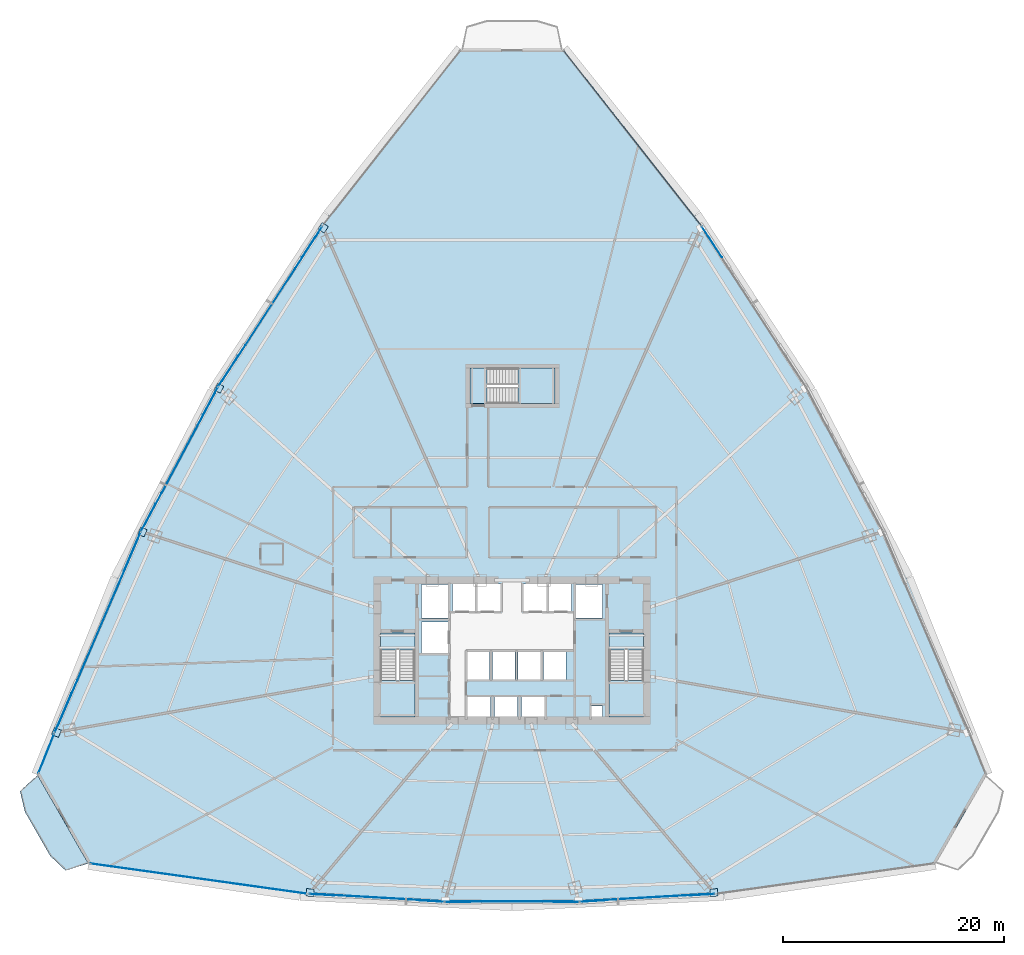
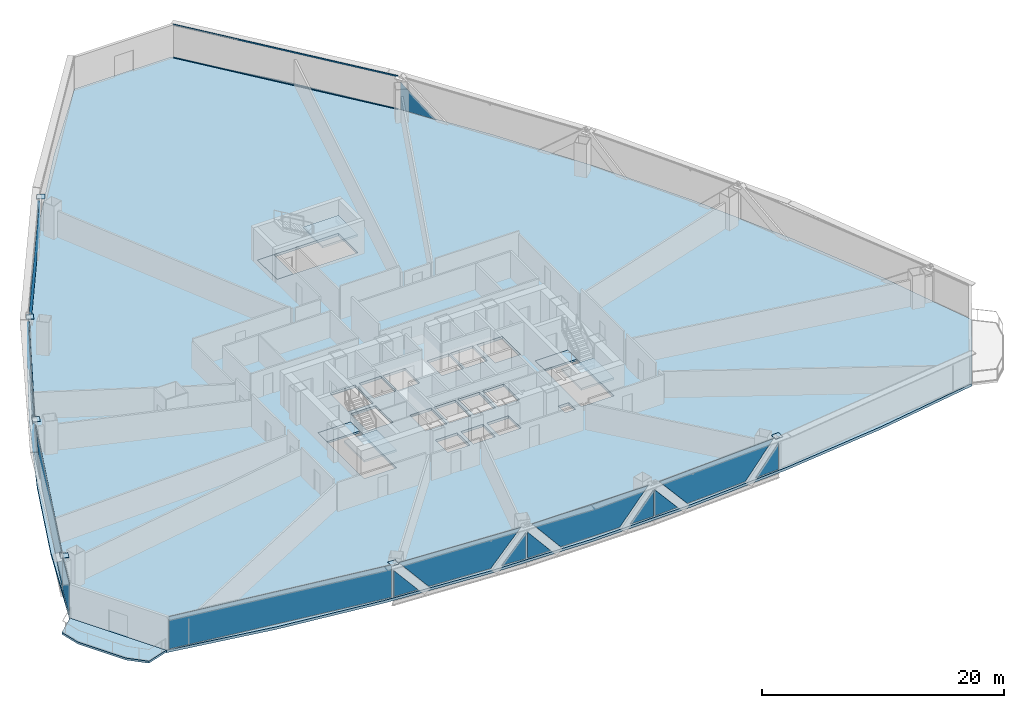
# One storey, part 27 of 37: 27 plates, 8 slabs, 2 members, 13 elements without a shape of their own.
"""IFC4 building model written with IfcOpenShell, lengths in metres."""

from ifc_helpers import new_model, si_unit, direction, frame, origin, origin_2d, place, context, subcontext, project, spatial, polyline, rectangle, hollow_rectangle, outline, extrude, source, transform, mapped, material, layer, layer_set, material_profile, profile_set, type_object, element, aggregate, save


model = new_model("IFC4")

# Units and contexts
model_context = context("Model", 3, precision=1e-05, world=origin(), true_north=direction((0.0, 1.0)))
body_context = subcontext(model_context, "Body", "Model", "MODEL_VIEW")
ifc_project = project(units=[si_unit("LENGTHUNIT", "METRE"), si_unit("AREAUNIT", "SQUARE_METRE"), si_unit("VOLUMEUNIT", "CUBIC_METRE"), si_unit("PLANEANGLEUNIT", "RADIAN"), si_unit("MASSUNIT", "GRAM", prefix="KILO"), si_unit("THERMODYNAMICTEMPERATUREUNIT", "KELVIN"), si_unit("POWERUNIT", "WATT")], contexts=[model_context])

# Site, building, storey
site_placement = place(None, origin())
site = spatial("IfcSite", under=ifc_project, at=site_placement, CompositionType="ELEMENT")
building_placement = place(site_placement, origin())
building = spatial("IfcBuilding", under=site, at=building_placement, Name="Yunzhuo Pagoda Commons", CompositionType="ELEMENT")
storey_placement = place(building_placement, frame((0.0, 0.0, 59.43994140625)))
storey = spatial("IfcBuildingStorey", under=building, at=storey_placement, Name="L15", CompositionType="ELEMENT", Elevation=59.43994140625)

# Curtain wall, members
ifc_material_1 = material(Name="Anodized aluminium 6063-T6", Category="aluminium")
ifc_layer_1 = layer(ifc_material_1, 0.1650390625)
ifc_layer_set_1 = layer_set([ifc_layer_1], Name="Anodized aluminium 6063-T6")
curtain_wall_type = type_object("IfcCurtainWallType", Name="CW-LOW Low-Zone Ribbon Curtain Wall", PredefinedType="NOTDEFINED", material=ifc_layer_set_1)
curtain_wall_1_placement = place(storey_placement, origin())
curtain_wall_1 = element("IfcCurtainWall", 1, at=curtain_wall_1_placement, inside=storey, type_object=curtain_wall_type, Name="L15 curtain wall CW-L15-F2B5", PredefinedType="NOTDEFINED")
ifc_material_profile = material_profile(ifc_material_1, hollow_rectangle(XDim=0.06005859375, YDim=0.139892578125, WallThickness=0.00341796875, at=origin_2d()), Name="Anodized aluminium 6063-T6")
ifc_profile_set = profile_set([ifc_material_profile], Name="Anodized aluminium 6063-T6")
member_type = type_object("IfcMemberType", Name="CW-LOW-T Transom RHS 140x60x3.5", PredefinedType="USERDEFINED", material=ifc_profile_set)
shared_shape_1 = source(origin(), body_context, "Body", "SweptSolid", [
    extrude(hollow_rectangle(XDim=0.06005859375, YDim=0.139892578125, WallThickness=0.00341796875, at=origin_2d()), origin(), (0.0, 0.0, 1.0), 20.00244140625),
])
member_1_placement = place(storey_placement, frame((65.085205078125, 72.378173828125, 0.030029296875), z_axis=(-0.618272093207, 0.785964133254, 0.0), x_axis=(-0.785964133254, -0.618272093207, 0.0)))
member_1 = element("IfcMember", 2, at=member_1_placement, type_object=member_type, Name="CW transom 1.1", ObjectType="TRANSOM", PredefinedType="USERDEFINED", context=body_context, shape_type="MappedRepresentation", body=[
    mapped(shared_shape_1, transform((0.0, 0.0, 0.0), scale=1.0)),
])
member_2_placement = place(storey_placement, frame((65.085205078125, 72.378173828125, 3.340087890625), z_axis=(-0.618272093207, 0.785964133254, 0.0), x_axis=(-0.785964133254, -0.618272093207, 0.0)))
member_2 = element("IfcMember", 3, at=member_2_placement, type_object=member_type, Name="CW transom 1.2", ObjectType="TRANSOM", PredefinedType="USERDEFINED", context=body_context, shape_type="MappedRepresentation", body=[
    mapped(shared_shape_1, transform((0.0, 0.0, 0.0), scale=1.0)),
])
aggregate(curtain_wall_1, [member_1, member_2])

# Curtain wall, plates
curtain_wall_2_placement = place(storey_placement, origin())
curtain_wall_2 = element("IfcCurtainWall", 4, at=curtain_wall_2_placement, inside=storey, type_object=curtain_wall_type, Name="L15 curtain wall CW-L15-F1B2", PredefinedType="NOTDEFINED")
ifc_material_2 = material(Name="Tempered low-e double glazing", Category="glass")
ifc_layer_2 = layer(ifc_material_2, 0.028076171875)
ifc_layer_set_2 = layer_set([ifc_layer_2], Name="Tempered low-e double glazing")
plate_type_1 = type_object("IfcPlateType", Name="CW-LOW-P Low-E Double Glazing 28", PredefinedType="CURTAIN_PANEL", material=ifc_layer_set_2)
plate_1_placement = place(storey_placement, frame((30.801513671875, 11.73193359375, 1.383544921875), z_axis=(-0.057664069997, -0.998336043139, 0.0), x_axis=(0.998336043139, -0.057664069997, 0.0)))
plate_1 = element("IfcPlate", 5, at=plate_1_placement, type_object=plate_type_1, Name="CW panel 1.1 lite 1", PredefinedType="CURTAIN_PANEL", context=body_context, shape_type="SweptSolid", body=[
    extrude(outline(polyline([(-1.125244140625, -1.323486328125), (1.125244140625, -1.323486328125), (-1.125244140625, 1.323486328125), (-1.125244140625, -1.323486328125)])), origin(), (0.0, 0.0, 1.0), 0.028076171875),
])
plate_2_placement = place(storey_placement, frame((35.77734375, 11.474365234375, 1.68505859375), z_axis=(-0.057664069997, -0.998336043139, 0.0), x_axis=(0.998336043139, -0.057664069997, 0.0)))
plate_2 = element("IfcPlate", 6, at=plate_2_placement, type_object=plate_type_1, Name="CW panel 1.1 lite 2", PredefinedType="CURTAIN_PANEL", context=body_context, shape_type="SweptSolid", body=[
    extrude(outline(polyline([(-5.623046875, 1.625), (-2.859619140625, -1.625), (2.859619140625, -1.625), (5.623046875, 1.625), (-5.623046875, 1.625)])), origin(), (0.0, 0.0, 1.0), 0.028076171875),
])
plate_3_placement = place(storey_placement, frame((40.75, 11.1572265625, 1.383544921875), z_axis=(-0.057664069997, -0.998336043139, 0.0), x_axis=(0.998336043139, -0.057664069997, 0.0)))
plate_3 = element("IfcPlate", 7, at=plate_3_placement, type_object=plate_type_1, Name="CW panel 1.1 lite 3", PredefinedType="CURTAIN_PANEL", context=body_context, shape_type="SweptSolid", body=[
    extrude(outline(polyline([(-1.125244140625, -1.323486328125), (1.125244140625, -1.323486328125), (1.125244140625, 1.323486328125), (-1.125244140625, -1.323486328125)])), origin(), (0.0, 0.0, 1.0), 0.028076171875),
])
aggregate(curtain_wall_2, [plate_1, plate_2, plate_3])

curtain_wall_3_placement = place(storey_placement, origin())
curtain_wall_3 = element("IfcCurtainWall", 8, at=curtain_wall_3_placement, inside=storey, type_object=curtain_wall_type, Name="L15 curtain wall CW-L15-F1B3", PredefinedType="NOTDEFINED")
plate_4_placement = place(storey_placement, frame((43.1044921875, 11.0888671875, 1.379638671875), z_axis=(0.0, -1.0, 0.0), x_axis=(1.0, 0.0, 0.0)))
plate_4 = element("IfcPlate", 9, at=plate_4_placement, type_object=plate_type_1, Name="CW panel 1.1 lite 1", PredefinedType="CURTAIN_PANEL", context=body_context, shape_type="SweptSolid", body=[
    extrude(outline(polyline([(-1.10205078125, -1.319580078125), (1.10205078125, -1.319580078125), (-1.10205078125, 1.319580078125), (-1.10205078125, -1.319580078125)])), origin(), (0.0, 0.0, 1.0), 0.028076171875),
])
plate_5_placement = place(storey_placement, frame((48.0, 11.11865234375, 1.68505859375), z_axis=(0.0, -1.0, 0.0), x_axis=(1.0, 0.0, 0.0)))
plate_5 = element("IfcPlate", 10, at=plate_5_placement, type_object=plate_type_1, Name="CW panel 1.1 lite 2", PredefinedType="CURTAIN_PANEL", context=body_context, shape_type="SweptSolid", body=[
    extrude(outline(polyline([(-5.517333984375, 1.625), (-2.803466796875, -1.625), (2.803466796875, -1.625), (5.517333984375, 1.625), (-5.517333984375, 1.625)])), origin(), (0.0, 0.0, 1.0), 0.028076171875),
])
plate_6_placement = place(storey_placement, frame((52.8955078125, 11.0888671875, 1.379638671875), z_axis=(0.0, -1.0, 0.0), x_axis=(1.0, 0.0, 0.0)))
plate_6 = element("IfcPlate", 11, at=plate_6_placement, type_object=plate_type_1, Name="CW panel 1.1 lite 3", PredefinedType="CURTAIN_PANEL", context=body_context, shape_type="SweptSolid", body=[
    extrude(outline(polyline([(-1.10205078125, -1.319580078125), (1.10205078125, -1.319580078125), (1.10205078125, 1.319580078125), (-1.10205078125, -1.319580078125)])), origin(), (0.0, 0.0, 1.0), 0.028076171875),
])
aggregate(curtain_wall_3, [plate_4, plate_5, plate_6])

curtain_wall_4_placement = place(storey_placement, origin())
curtain_wall_4 = element("IfcCurtainWall", 12, at=curtain_wall_4_placement, inside=storey, type_object=curtain_wall_type, Name="L15 curtain wall CW-L15-F1B4", PredefinedType="NOTDEFINED")
plate_7_placement = place(storey_placement, frame((55.25, 11.1572265625, 1.383544921875), z_axis=(0.057664069997, -0.998336043139, 0.0), x_axis=(0.998336043139, 0.057664069997, 0.0)))
plate_7 = element("IfcPlate", 13, at=plate_7_placement, type_object=plate_type_1, Name="CW panel 1.1 lite 1", PredefinedType="CURTAIN_PANEL", context=body_context, shape_type="SweptSolid", body=[
    extrude(outline(polyline([(-1.125244140625, -1.323486328125), (1.125244140625, -1.323486328125), (-1.125244140625, 1.323486328125), (-1.125244140625, -1.323486328125)])), origin(), (0.0, 0.0, 1.0), 0.028076171875),
])
plate_8_placement = place(storey_placement, frame((60.22265625, 11.474365234375, 1.68505859375), z_axis=(0.057664069997, -0.998336043139, 0.0), x_axis=(0.998336043139, 0.057664069997, 0.0)))
plate_8 = element("IfcPlate", 14, at=plate_8_placement, type_object=plate_type_1, Name="CW panel 1.1 lite 2", PredefinedType="CURTAIN_PANEL", context=body_context, shape_type="SweptSolid", body=[
    extrude(outline(polyline([(-5.623046875, 1.625), (-2.859619140625, -1.625), (2.859619140625, -1.625), (5.623046875, 1.625), (-5.623046875, 1.625)])), origin(), (0.0, 0.0, 1.0), 0.028076171875),
])
plate_9_placement = place(storey_placement, frame((65.198486328125, 11.73193359375, 1.383544921875), z_axis=(0.057664069997, -0.998336043139, 0.0), x_axis=(0.998336043139, 0.057664069997, 0.0)))
plate_9 = element("IfcPlate", 15, at=plate_9_placement, type_object=plate_type_1, Name="CW panel 1.1 lite 3", PredefinedType="CURTAIN_PANEL", context=body_context, shape_type="SweptSolid", body=[
    extrude(outline(polyline([(-1.125244140625, -1.323486328125), (1.125244140625, -1.323486328125), (1.125244140625, 1.323486328125), (-1.125244140625, -1.323486328125)])), origin(), (0.0, 0.0, 1.0), 0.028076171875),
])
aggregate(curtain_wall_4, [plate_7, plate_8, plate_9])

# Curtain wall, plate
curtain_wall_5_placement = place(storey_placement, origin())
curtain_wall_5 = element("IfcCurtainWall", 16, at=curtain_wall_5_placement, inside=storey, type_object=curtain_wall_type, Name="L15 curtain wall CW-L15-F2B4", PredefinedType="NOTDEFINED")
plate_10_placement = place(storey_placement, frame((66.09521484375, 70.81982421875, 1.4404296875), z_axis=(0.838776712394, 0.544475552018, 0.0), x_axis=(-0.544475552018, 0.838776712394, 0.0)))
plate_10 = element("IfcPlate", 17, at=plate_10_placement, type_object=plate_type_1, Name="CW panel 1.1 lite 3", PredefinedType="CURTAIN_PANEL", context=body_context, shape_type="SweptSolid", body=[
    extrude(outline(polyline([(-1.65283203125, -1.38037109375), (1.652587890625, -1.38037109375), (1.652587890625, 1.38037109375), (-1.65283203125, -1.38037109375)])), origin(), (0.0, 0.0, 1.0), 0.028076171875),
])
aggregate(curtain_wall_5, [plate_10])

# Curtain wall, plates
curtain_wall_6_placement = place(storey_placement, origin())
curtain_wall_6 = element("IfcCurtainWall", 18, at=curtain_wall_6_placement, inside=storey, type_object=curtain_wall_type, Name="L15 curtain wall CW-L15-F3B2", PredefinedType="NOTDEFINED")
plate_11_placement = place(storey_placement, frame((29.90478515625, 70.81982421875, 1.4404296875), z_axis=(-0.838776712394, 0.544475552018, 0.0), x_axis=(-0.544475552018, -0.838776712394, 0.0)))
plate_11 = element("IfcPlate", 19, at=plate_11_placement, type_object=plate_type_1, Name="CW panel 1.1 lite 1", PredefinedType="CURTAIN_PANEL", context=body_context, shape_type="SweptSolid", body=[
    extrude(outline(polyline([(-1.652587890625, -1.38037109375), (1.65283203125, -1.38037109375), (-1.652587890625, 1.38037109375), (-1.652587890625, -1.38037109375)])), origin(), (0.0, 0.0, 1.0), 0.028076171875),
])
plate_12_placement = place(storey_placement, frame((26.132080078125, 64.952880859375, 1.68505859375), z_axis=(-0.838776712394, 0.544475552018, 0.0), x_axis=(-0.544475552018, -0.838776712394, 0.0)))
plate_12 = element("IfcPlate", 20, at=plate_12_placement, type_object=plate_type_1, Name="CW panel 1.1 lite 2", PredefinedType="CURTAIN_PANEL", context=body_context, shape_type="SweptSolid", body=[
    extrude(outline(polyline([(-8.028564453125, 1.625), (-4.136962890625, -1.625), (4.136962890625, -1.625), (8.028564453125, 1.625), (-8.028564453125, 1.625)])), origin(), (0.0, 0.0, 1.0), 0.028076171875),
])
plate_13_placement = place(storey_placement, frame((22.308837890625, 59.118408203125, 1.4404296875), z_axis=(-0.838776712394, 0.544475552018, 0.0), x_axis=(-0.544475552018, -0.838776712394, 0.0)))
plate_13 = element("IfcPlate", 21, at=plate_13_placement, type_object=plate_type_1, Name="CW panel 1.1 lite 3", PredefinedType="CURTAIN_PANEL", context=body_context, shape_type="SweptSolid", body=[
    extrude(outline(polyline([(-1.65283203125, -1.38037109375), (1.652587890625, -1.38037109375), (1.652587890625, 1.38037109375), (-1.65283203125, -1.38037109375)])), origin(), (0.0, 0.0, 1.0), 0.028076171875),
])
aggregate(curtain_wall_6, [plate_11, plate_12, plate_13])

curtain_wall_7_placement = place(storey_placement, origin())
curtain_wall_7 = element("IfcCurtainWall", 22, at=curtain_wall_7_placement, inside=storey, type_object=curtain_wall_type, Name="L15 curtain wall CW-L15-F3B3", PredefinedType="NOTDEFINED")
plate_14_placement = place(storey_placement, frame((20.69287109375, 56.39990234375, 1.4169921875), z_axis=(-0.882469570104, 0.470369490762, 0.0), x_axis=(-0.470369490762, -0.882469570104, 0.0)))
plate_14 = element("IfcPlate", 23, at=plate_14_placement, type_object=plate_type_1, Name="CW panel 1.1 lite 1", PredefinedType="CURTAIN_PANEL", context=body_context, shape_type="SweptSolid", body=[
    extrude(outline(polyline([(-1.3837890625, -1.35693359375), (1.3837890625, -1.35693359375), (-1.3837890625, 1.35693359375), (-1.3837890625, -1.35693359375)])), origin(), (0.0, 0.0, 1.0), 0.028076171875),
])
plate_15_placement = place(storey_placement, frame((17.91845703125, 51.131103515625, 1.68505859375), z_axis=(-0.882469570104, 0.470369490762, 0.0), x_axis=(-0.470369490762, -0.882469570104, 0.0)))
plate_15 = element("IfcPlate", 24, at=plate_15_placement, type_object=plate_type_1, Name="CW panel 1.1 lite 2", PredefinedType="CURTAIN_PANEL", context=body_context, shape_type="SweptSolid", body=[
    extrude(outline(polyline([(-6.799560546875, 1.625), (-3.4853515625, -1.625), (3.4853515625, -1.625), (6.799560546875, 1.625), (-6.799560546875, 1.625)])), origin(), (0.0, 0.0, 1.0), 0.028076171875),
])
plate_16_placement = place(storey_placement, frame((15.091064453125, 45.890380859375, 1.4169921875), z_axis=(-0.882469570104, 0.470369490762, 0.0), x_axis=(-0.470369490762, -0.882469570104, 0.0)))
plate_16 = element("IfcPlate", 25, at=plate_16_placement, type_object=plate_type_1, Name="CW panel 1.1 lite 3", PredefinedType="CURTAIN_PANEL", context=body_context, shape_type="SweptSolid", body=[
    extrude(outline(polyline([(-1.3837890625, -1.35693359375), (1.3837890625, -1.35693359375), (1.3837890625, 1.35693359375), (-1.3837890625, -1.35693359375)])), origin(), (0.0, 0.0, 1.0), 0.028076171875),
])
aggregate(curtain_wall_7, [plate_14, plate_15, plate_16])

curtain_wall_8_placement = place(storey_placement, origin())
curtain_wall_8 = element("IfcCurtainWall", 26, at=curtain_wall_8_placement, inside=storey, type_object=curtain_wall_type, Name="L15 curtain wall CW-L15-F3B4", PredefinedType="NOTDEFINED")
plate_17_placement = place(storey_placement, frame((13.633056640625, 42.801513671875, 1.455810546875), z_axis=(-0.918993139703, 0.394273520769, 0.0), x_axis=(-0.394273520769, -0.918993139703, 0.0)))
plate_17 = element("IfcPlate", 27, at=plate_17_placement, type_object=plate_type_1, Name="CW panel 1.1 lite 1", PredefinedType="CURTAIN_PANEL", context=body_context, shape_type="SweptSolid", body=[
    extrude(outline(polyline([(-1.906005859375, -1.395751953125), (1.906005859375, -1.395751953125), (-1.906005859375, 1.395751953125), (-1.906005859375, -1.395751953125)])), origin(), (0.0, 0.0, 1.0), 0.028076171875),
])
plate_18_placement = place(storey_placement, frame((10.52880859375, 35.489990234375, 1.68505859375), z_axis=(-0.918993139703, 0.394273520769, 0.0), x_axis=(-0.394273520769, -0.918993139703, 0.0)))
plate_18 = element("IfcPlate", 28, at=plate_18_placement, type_object=plate_type_1, Name="CW panel 1.1 lite 2", PredefinedType="CURTAIN_PANEL", context=body_context, shape_type="SweptSolid", body=[
    extrude(outline(polyline([(-9.18896484375, 1.625), (-4.750732421875, -1.625), (4.750732421875, -1.625), (9.18896484375, 1.625), (-9.18896484375, 1.625)])), origin(), (0.0, 0.0, 1.0), 0.028076171875),
])
plate_19_placement = place(storey_placement, frame((7.369384765625, 28.201904296875, 1.455810546875), z_axis=(-0.918993139703, 0.394273520769, 0.0), x_axis=(-0.394273520769, -0.918993139703, 0.0)))
plate_19 = element("IfcPlate", 29, at=plate_19_placement, type_object=plate_type_1, Name="CW panel 1.1 lite 3", PredefinedType="CURTAIN_PANEL", context=body_context, shape_type="SweptSolid", body=[
    extrude(outline(polyline([(-1.906005859375, -1.395751953125), (1.906005859375, -1.395751953125), (1.906005859375, 1.395751953125), (-1.906005859375, -1.395751953125)])), origin(), (0.0, 0.0, 1.0), 0.028076171875),
])
aggregate(curtain_wall_8, [plate_17, plate_18, plate_19])

# Slab
ifc_material_3 = material(Name="Concrete C40", Category="concrete")
ifc_layer_3 = layer(ifc_material_3, 0.199951171875)
ifc_layer_set_3 = layer_set([ifc_layer_3], Name="Concrete C40")
slab_type_1 = type_object("IfcSlabType", Name="SL-BAL Vertex Balcony Deck Slab 200", PredefinedType="FLOOR", material=ifc_layer_set_3)
slab_1_placement = place(storey_placement, frame((0.0, 0.0, -0.199951171875)))
element("IfcSlab", 30, at=slab_1_placement, inside=storey, type_object=slab_type_1, Name="L15 corner balcony V1", PredefinedType="FLOOR", context=body_context, shape_type="SweptSolid", body=[
    extrude(outline(polyline([(5.04150390625, 22.5439453125), (9.62451171875, 14.561767578125), (7.58349609375, 13.908935546875), (6.184814453125, 15.240234375), (3.893310546875, 19.2314453125), (3.448486328125, 21.110595703125), (5.04150390625, 22.5439453125)])), origin(), (0.0, 0.0, 1.0), 0.199951171875),
])

# Stair, slabs
stair_type_1 = type_object("IfcStairType", Name="ST-C1 Core Smokeproof Stair ST1", PredefinedType="HALF_TURN_STAIR", material=ifc_material_3)
stair_1_placement = place(storey_placement, origin())
stair_1 = element("IfcStair", 31, at=stair_1_placement, inside=storey, type_object=stair_type_1, Name="L15 Core smokeproof stair ST1", PredefinedType="HALF_TURN_STAIR")
ifc_layer_4 = layer(ifc_material_3, 0.199951171875)
ifc_layer_set_4 = layer_set([ifc_layer_4], Name="Concrete C40")
slab_type_2 = type_object("IfcSlabType", Name="SL-LND1 Stair Landing Slab 200", PredefinedType="LANDING", material=ifc_layer_set_4)
slab_2_placement = place(storey_placement, frame((0.0, 0.0, 1.614990234375)))
slab_2 = element("IfcSlab", 32, at=slab_2_placement, type_object=slab_type_2, Name="ST1 landing 1", PredefinedType="LANDING", context=body_context, shape_type="SweptSolid", body=[
    extrude(outline(polyline([(36.10009765625, 31.10009765625), (36.10009765625, 27.800048828125), (39.199951171875, 27.800048828125), (39.199951171875, 31.10009765625), (36.10009765625, 31.10009765625)])), origin(), (0.0, 0.0, 1.0), 0.199951171875),
])
slab_3_placement = place(storey_placement, frame((0.0, 0.0, -0.199951171875)))
slab_3 = element("IfcSlab", 33, at=slab_3_placement, type_object=slab_type_2, Name="ST1 floor landing L15", PredefinedType="LANDING", context=body_context, shape_type="SweptSolid", body=[
    extrude(outline(polyline([(36.10009765625, 35.39990234375), (36.10009765625, 33.89990234375), (39.199951171875, 33.89990234375), (39.199951171875, 35.39990234375), (36.10009765625, 35.39990234375)])), origin(), (0.0, 0.0, 1.0), 0.199951171875),
])
aggregate(stair_1, [slab_2, slab_3])

stair_type_2 = type_object("IfcStairType", Name="ST-C2 Core Smokeproof Stair ST2", PredefinedType="HALF_TURN_STAIR", material=ifc_material_3)
stair_2_placement = place(storey_placement, origin())
stair_2 = element("IfcStair", 34, at=stair_2_placement, inside=storey, type_object=stair_type_2, Name="L15 Core smokeproof stair ST2", PredefinedType="HALF_TURN_STAIR")
ifc_layer_5 = layer(ifc_material_3, 0.201904296875)
ifc_layer_set_5 = layer_set([ifc_layer_5], Name="Concrete C40")
slab_type_3 = type_object("IfcSlabType", Name="SL-LND2 Stair Landing Slab 202", PredefinedType="LANDING", material=ifc_layer_set_5)
slab_4_placement = place(storey_placement, frame((0.0, 0.0, 1.614990234375)))
slab_4 = element("IfcSlab", 35, at=slab_4_placement, type_object=slab_type_3, Name="ST2 landing 1", PredefinedType="LANDING", context=body_context, shape_type="SweptSolid", body=[
    extrude(outline(polyline([(56.800048828125, 31.10009765625), (56.800048828125, 27.800048828125), (59.89990234375, 27.800048828125), (59.89990234375, 31.10009765625), (56.800048828125, 31.10009765625)])), origin(), (0.0, 0.0, 1.0), 0.199951171875),
])
slab_5_placement = place(storey_placement, frame((0.0, 0.0, -0.199951171875)))
slab_5 = element("IfcSlab", 36, at=slab_5_placement, type_object=slab_type_3, Name="ST2 floor landing L15", PredefinedType="LANDING", context=body_context, shape_type="SweptSolid", body=[
    extrude(outline(polyline([(56.800048828125, 35.39990234375), (56.800048828125, 33.89990234375), (59.89990234375, 33.89990234375), (59.89990234375, 35.39990234375), (56.800048828125, 35.39990234375)])), origin(), (0.0, 0.0, 1.0), 0.199951171875),
])
aggregate(stair_2, [slab_4, slab_5])

stair_type_3 = type_object("IfcStairType", Name="ST-C3 North Tower Smokeproof Stair ST3", PredefinedType="HALF_TURN_STAIR", material=ifc_material_3)
stair_3_placement = place(storey_placement, origin())
stair_3 = element("IfcStair", 37, at=stair_3_placement, inside=storey, type_object=stair_type_3, Name="L15 North tower smokeproof stair ST3", PredefinedType="HALF_TURN_STAIR")
ifc_layer_6 = layer(ifc_material_3, 0.2041015625)
ifc_layer_set_6 = layer_set([ifc_layer_6], Name="Concrete C40")
slab_type_4 = type_object("IfcSlabType", Name="SL-LND5 North Landing Slab 204", PredefinedType="LANDING", material=ifc_layer_set_6)
slab_6_placement = place(storey_placement, frame((0.0, 0.0, 1.614990234375)))
slab_6 = element("IfcSlab", 38, at=slab_6_placement, type_object=slab_type_4, Name="ST3 landing 1", PredefinedType="LANDING", context=body_context, shape_type="SweptSolid", body=[
    extrude(outline(polyline([(48.550048828125, 56.199951171875), (51.89990234375, 56.199951171875), (51.89990234375, 59.39990234375), (48.550048828125, 59.39990234375), (48.550048828125, 56.199951171875)])), origin(), (0.0, 0.0, 1.0), 0.199951171875),
])
slab_7_placement = place(storey_placement, frame((0.0, 0.0, -0.199951171875)))
slab_7 = element("IfcSlab", 39, at=slab_7_placement, type_object=slab_type_4, Name="ST3 floor landing L15", PredefinedType="LANDING", context=body_context, shape_type="SweptSolid", body=[
    extrude(outline(polyline([(44.199951171875, 56.199951171875), (45.75, 56.199951171875), (45.75, 59.39990234375), (44.199951171875, 59.39990234375), (44.199951171875, 56.199951171875)])), origin(), (0.0, 0.0, 1.0), 0.199951171875),
])
aggregate(stair_3, [slab_6, slab_7])

# Slab
ifc_layer_7 = layer(ifc_material_3, 0.260009765625)
ifc_layer_set_7 = layer_set([ifc_layer_7], Name="Concrete C40")
slab_type_5 = type_object("IfcSlabType", Name="SL-TWR Typical Tower Floor Slab 260", PredefinedType="FLOOR", material=ifc_layer_set_7)
slab_8_placement = place(storey_placement, frame((0.0, 0.0, -0.260009765625)))
element("IfcSlab", 40, at=slab_8_placement, inside=storey, type_object=slab_type_5, Name="L15 structural floor slab", PredefinedType="FLOOR", context=body_context, shape_type="SweptSolid", body=[
    extrude(outline(polyline([(8.43115234375, 31.5869140625), (12.219482421875, 40.391845703125), (16.411376953125, 48.961669921875), (21.006103515625, 57.2958984375), (26.004150390625, 65.39501953125), (31.4052734375, 73.2587890625), (37.20947265625, 80.88720703125), (43.4169921875, 88.280517578125), (52.5830078125, 88.280517578125), (58.79052734375, 80.88720703125), (64.5947265625, 73.2587890625), (69.995849609375, 65.39501953125), (74.993896484375, 57.2958984375), (79.588623046875, 48.961669921875), (83.780517578125, 40.391845703125), (87.56884765625, 31.5869140625), (90.954345703125, 22.54638671875), (86.37109375, 14.564208984375), (76.7783203125, 12.930419921875), (67.185546875, 11.763427734375), (57.5927734375, 11.063232421875), (48.0, 10.829833984375), (38.4072265625, 11.063232421875), (28.814453125, 11.763427734375), (19.2216796875, 12.930419921875), (9.62890625, 14.564208984375), (5.045654296875, 22.54638671875), (8.43115234375, 31.5869140625)]), holes=[polyline([(46.050048828125, 27.60009765625), (46.050048828125, 29.64990234375), (43.949951171875, 29.64990234375), (43.949951171875, 27.60009765625), (46.050048828125, 27.60009765625)]), polyline([(48.5, 27.60009765625), (48.5, 29.64990234375), (46.39990234375, 29.64990234375), (46.39990234375, 27.60009765625), (48.5, 27.60009765625)]), polyline([(36.10009765625, 27.800048828125), (39.199951171875, 27.800048828125), (39.199951171875, 35.39990234375), (36.10009765625, 35.39990234375), (36.10009765625, 27.800048828125)]), polyline([(45.969970703125, 31.199951171875), (45.969970703125, 33.800048828125), (43.929931640625, 33.800048828125), (43.929931640625, 31.199951171875), (45.969970703125, 31.199951171875)]), polyline([(48.27001953125, 31.199951171875), (48.27001953125, 33.800048828125), (46.22998046875, 33.800048828125), (46.22998046875, 31.199951171875), (48.27001953125, 31.199951171875)]), polyline([(42.199951171875, 33.60009765625), (42.199951171875, 36.39990234375), (39.800048828125, 36.39990234375), (39.800048828125, 33.60009765625), (42.199951171875, 33.60009765625)]), polyline([(42.199951171875, 36.800048828125), (42.199951171875, 39.800048828125), (39.800048828125, 39.800048828125), (39.800048828125, 36.800048828125), (42.199951171875, 36.800048828125)]), polyline([(42.60009765625, 37.39990234375), (44.699951171875, 37.39990234375), (44.699951171875, 39.85009765625), (42.60009765625, 39.85009765625), (42.60009765625, 37.39990234375)]), polyline([(44.85009765625, 37.39990234375), (46.949951171875, 37.39990234375), (46.949951171875, 39.85009765625), (44.85009765625, 39.85009765625), (44.85009765625, 37.39990234375)]), polyline([(56.179931640625, 27.699951171875), (56.179931640625, 28.800048828125), (55.179931640625, 28.800048828125), (55.179931640625, 27.699951171875), (56.179931640625, 27.699951171875)]), polyline([(50.949951171875, 27.60009765625), (50.949951171875, 29.64990234375), (48.85009765625, 29.64990234375), (48.85009765625, 27.60009765625), (50.949951171875, 27.60009765625)]), polyline([(56.800048828125, 27.800048828125), (59.89990234375, 27.800048828125), (59.89990234375, 35.39990234375), (56.800048828125, 35.39990234375), (56.800048828125, 27.800048828125)]), polyline([(50.570068359375, 31.199951171875), (50.570068359375, 33.800048828125), (48.530029296875, 33.800048828125), (48.530029296875, 31.199951171875), (50.570068359375, 31.199951171875)]), polyline([(52.8701171875, 31.199951171875), (52.8701171875, 33.800048828125), (50.830078125, 33.800048828125), (50.830078125, 31.199951171875), (52.8701171875, 31.199951171875)]), polyline([(56.199951171875, 36.800048828125), (56.199951171875, 39.800048828125), (53.800048828125, 39.800048828125), (53.800048828125, 36.800048828125), (56.199951171875, 36.800048828125)]), polyline([(51.14990234375, 37.39990234375), (51.14990234375, 39.85009765625), (49.050048828125, 39.85009765625), (49.050048828125, 37.39990234375), (51.14990234375, 37.39990234375)]), polyline([(51.300048828125, 37.39990234375), (53.39990234375, 37.39990234375), (53.39990234375, 39.85009765625), (51.300048828125, 39.85009765625), (51.300048828125, 37.39990234375)]), polyline([(44.199951171875, 56.199951171875), (51.89990234375, 56.199951171875), (51.89990234375, 59.39990234375), (44.199951171875, 59.39990234375), (44.199951171875, 56.199951171875)])]), origin(), (0.0, 0.0, 1.0), 0.260009765625),
])

# Plates
ifc_material_4 = material(Name="Structural steel Q355B", Category="steel")
ifc_layer_8 = layer(ifc_material_4, 0.028076171875)
ifc_layer_set_8 = layer_set([ifc_layer_8], Name="Structural steel Q355B")
plate_type_2 = type_object("IfcPlateType", Name="SP-ND1 Lattice Node Cap Plate 800x500x28", PredefinedType="USERDEFINED", material=ifc_layer_set_8)
shared_shape_2 = source(origin(), body_context, "Body", "SweptSolid", [
    extrude(rectangle(XDim=0.699951171875, YDim=0.680908203125, at=origin_2d()), origin(), (0.0, 0.0, 1.0), 0.035888671875),
])
for number, where, z_axis, x_axis, name in (
    (41, (29.71875, 11.9130859375, 3.33203125), (0.0, 0.0, 1.0), (0.998335783049, -0.057668572754, 0.0), "L15 setback lattice tie plate F1.1L"),
    (42, (66.28125, 11.9130859375, 3.33203125), (0.0, 0.0, 1.0), (0.998335783049, 0.057668572754, 0.0), "L15 setback lattice tie plate F1.3R"),
):
    element("IfcPlate", number, at=place(storey_placement, frame(where, z_axis=z_axis, x_axis=x_axis)), inside=storey, type_object=plate_type_2, Name=name, ObjectType="STIFFENER_PLATE", PredefinedType="USERDEFINED", context=body_context, shape_type="MappedRepresentation", body=[
        mapped(shared_shape_2, transform((0.0, 0.0, 0.0), scale=1.0)),
    ])
shared_shape_3 = source(origin(), body_context, "Body", "SweptSolid", [
    extrude(rectangle(XDim=0.699951171875, YDim=0.694091796875, at=origin_2d()), origin(), (0.0, 0.0, 1.0), 0.035888671875),
])
plate_20_placement = place(storey_placement, frame((6.748779296875, 26.42626953125, 3.33203125), z_axis=(0.0, 0.0, 1.0), x_axis=(-0.39427876382, -0.918990890271, 0.0)))
element("IfcPlate", 43, at=plate_20_placement, inside=storey, type_object=plate_type_2, Name="L15 setback lattice tie plate F3.3R", ObjectType="STIFFENER_PLATE", PredefinedType="USERDEFINED", context=body_context, shape_type="MappedRepresentation", body=[
    mapped(shared_shape_3, transform((0.0, 0.0, 0.0), scale=1.0)),
])
shared_shape_4 = source(origin(), body_context, "Body", "SweptSolid", [
    extrude(rectangle(XDim=0.699951171875, YDim=0.6328125, at=origin_2d()), origin(), (0.0, 0.0, 1.0), 0.035888671875),
])
plate_21_placement = place(storey_placement, frame((14.531494140625, 44.57470703125, 3.33203125), z_axis=(0.0, 0.0, 1.0), x_axis=(-0.39427876382, -0.918990890271, 0.0)))
element("IfcPlate", 44, at=plate_21_placement, inside=storey, type_object=plate_type_2, Name="L15 setback lattice tie plate F3.3L", ObjectType="STIFFENER_PLATE", PredefinedType="USERDEFINED", context=body_context, shape_type="MappedRepresentation", body=[
    mapped(shared_shape_4, transform((0.0, 0.0, 0.0), scale=1.0)),
])
shared_shape_5 = source(origin(), body_context, "Body", "SweptSolid", [
    extrude(rectangle(XDim=0.699951171875, YDim=0.63134765625, at=origin_2d()), origin(), (0.0, 0.0, 1.0), 0.035888671875),
])
plate_22_placement = place(storey_placement, frame((21.466552734375, 57.5908203125, 3.33203125), z_axis=(0.0, 0.0, 1.0), x_axis=(-0.470365121964, -0.882471898725, 0.0)))
element("IfcPlate", 45, at=plate_22_placement, inside=storey, type_object=plate_type_2, Name="L15 setback lattice tie plate F3.2L", ObjectType="STIFFENER_PLATE", PredefinedType="USERDEFINED", context=body_context, shape_type="MappedRepresentation", body=[
    mapped(shared_shape_5, transform((0.0, 0.0, 0.0), scale=1.0)),
])
shared_shape_6 = source(origin(), body_context, "Body", "SweptSolid", [
    extrude(rectangle(XDim=0.699951171875, YDim=0.678955078125, at=origin_2d()), origin(), (0.0, 0.0, 1.0), 0.035888671875),
])
plate_23_placement = place(storey_placement, frame((30.895263671875, 72.117919921875, 3.33203125), z_axis=(0.0, 0.0, 1.0), x_axis=(-0.544478011788, -0.838775115677, 0.0)))
element("IfcPlate", 46, at=plate_23_placement, inside=storey, type_object=plate_type_2, Name="L15 setback lattice tie plate F3.1L", ObjectType="STIFFENER_PLATE", PredefinedType="USERDEFINED", context=body_context, shape_type="MappedRepresentation", body=[
    mapped(shared_shape_6, transform((0.0, 0.0, 0.0), scale=1.0)),
])

# Curtain wall, plate
curtain_wall_9_placement = place(storey_placement, origin())
curtain_wall_9 = element("IfcCurtainWall", 47, at=curtain_wall_9_placement, inside=storey, type_object=curtain_wall_type, Name="L15 curtain wall CW-L15-F1B1", PredefinedType="NOTDEFINED")
shared_shape_7 = source(origin(), body_context, "Body", "SweptSolid", [
    extrude(rectangle(XDim=19.809814453125, YDim=0.028076171875, at=origin_2d()), origin(), (0.0, 0.0, 1.0), 3.25),
])
plate_24_placement = place(storey_placement, frame((19.663330078125, 13.171630859375, 0.06005859375), z_axis=(0.0, 0.0, 1.0), x_axis=(0.990445462871, -0.13790498569, 0.0)))
plate_24 = element("IfcPlate", 48, at=plate_24_placement, type_object=plate_type_1, Name="CW panel 1.1", PredefinedType="CURTAIN_PANEL", context=body_context, shape_type="MappedRepresentation", body=[
    mapped(shared_shape_7, transform((0.0, 0.0, 0.0), scale=1.0)),
])
aggregate(curtain_wall_9, [plate_24])

curtain_wall_10_placement = place(storey_placement, origin())
curtain_wall_10 = element("IfcCurtainWall", 49, at=curtain_wall_10_placement, inside=storey, type_object=curtain_wall_type, Name="L15 curtain wall CW-L15-F3B5", PredefinedType="NOTDEFINED")
shared_shape_8 = source(origin(), body_context, "Body", "SweptSolid", [
    extrude(rectangle(XDim=3.7783203125, YDim=0.028076171875, at=origin_2d()), origin(), (0.0, 0.0, 1.0), 3.25),
])
plate_25_placement = place(storey_placement, frame((5.83154296875, 24.510009765625, 0.06005859375), z_axis=(0.0, 0.0, 1.0), x_axis=(-0.368614284542, -0.929582438104, 0.0)))
plate_25 = element("IfcPlate", 50, at=plate_25_placement, type_object=plate_type_1, Name="CW panel 1.1", PredefinedType="CURTAIN_PANEL", context=body_context, shape_type="MappedRepresentation", body=[
    mapped(shared_shape_8, transform((0.0, 0.0, 0.0), scale=1.0)),
])
aggregate(curtain_wall_10, [plate_25])

save(model, "model.ifc")
